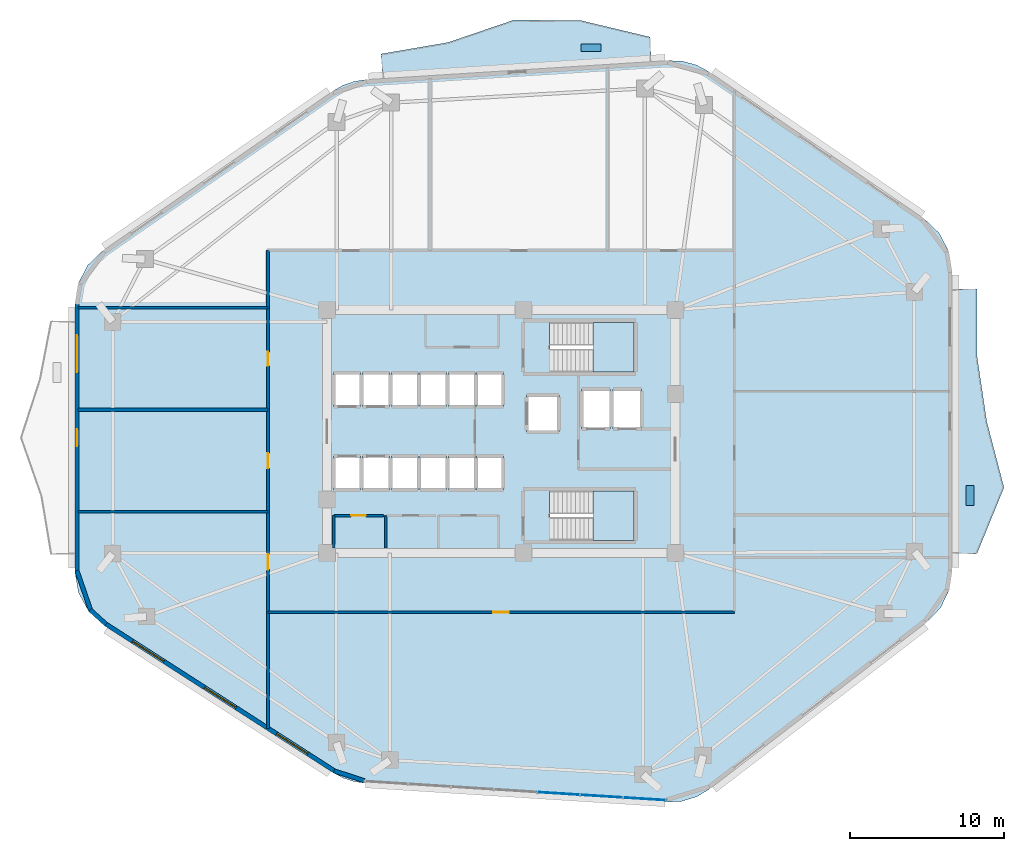
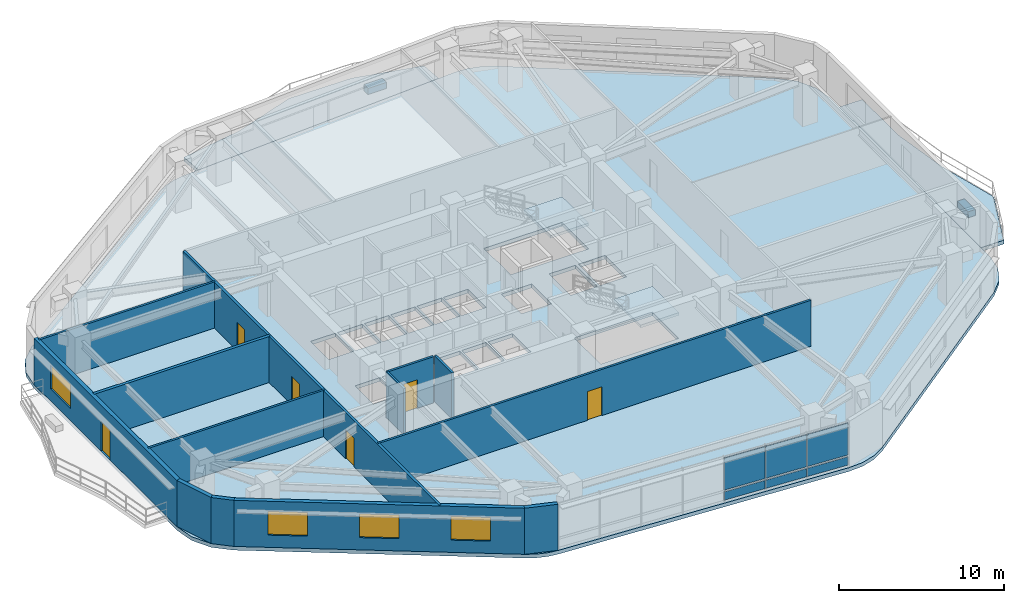
# One storey, part 6 of 12: 13 walls, 8 plates, 6 doors, 5 slabs, 4 windows, 10 openings, 3 elements without a shape of their own.
"""IFC4 building model written with IfcOpenShell, lengths in metres."""

import ifcopenshell
import ifcopenshell.guid

model = None  # the IFC model being written
_history = None  # IfcOwnerHistory: only IFC2X3 demands one
_inside = {}  # id of a spatial element -> (the spatial element, [elements in it])
_under = {}  # id of a project, library or spatial element -> (it, [spatial elements below it])
_declared = {}  # id of a project -> (the project, [libraries it declares])
_typed = {}  # id of a type object -> (the type object, [elements of that type])
_made_of = {}  # id of a material, layer set ... -> (it, [elements and type objects made of it])


def new_model(schema):
    """Start an empty IFC model of exactly this schema.

    Asked for "IFC4X3", IfcOpenShell would pick the latest addendum, in which some entities
    have other attributes; the version numbers below select the first issue.
    IFC2X3 requires an IfcOwnerHistory on every rooted entity: one is made here for all.
    """
    global model, _history
    if schema == "IFC4X3":
        model = ifcopenshell.file(schema_version=(4, 3, 0, 0))
    else:
        model = ifcopenshell.file(schema=schema)
    _inside.clear()
    _under.clear()
    _declared.clear()
    _typed.clear()
    _made_of.clear()
    _history = None
    if model.schema == "IFC2X3":
        org = make("IfcOrganization", Name="unknown")
        user = make(
            "IfcPersonAndOrganization",
            ThePerson=make("IfcPerson", FamilyName="unknown"),
            TheOrganization=org,
        )
        app = make(
            "IfcApplication",
            ApplicationDeveloper=org,
            Version="unknown",
            ApplicationFullName="unknown",
            ApplicationIdentifier="unknown",
        )
        _history = make(
            "IfcOwnerHistory",
            OwningUser=user,
            OwningApplication=app,
            ChangeAction="ADDED",
            CreationDate=0,
        )
    return model


def make(cls, **values):
    """One entity of the class cls with the attributes given. An attribute that is None is left unset."""
    return model.create_entity(
        cls, **{name: value for name, value in values.items() if value is not None}
    )


def rooted(cls, **values):
    """An entity with a GlobalId (a new one), such as an element, a storey or a relation."""
    return make(cls, GlobalId=ifcopenshell.guid.new(), OwnerHistory=_history, **values)


def si_unit(unit_type, name, prefix=None):
    """IfcSIUnit, for example si_unit("LENGTHUNIT", "METRE", prefix="MILLI")."""
    return make("IfcSIUnit", UnitType=unit_type, Prefix=prefix, Name=name)


def assignment(units):
    """IfcUnitAssignment: the units of a project."""
    return None if units is None else make("IfcUnitAssignment", Units=units)


def point(xyz):
    """IfcCartesianPoint."""
    return None if xyz is None else make("IfcCartesianPoint", Coordinates=xyz)


def direction(xyz):
    """IfcDirection."""
    return None if xyz is None else make("IfcDirection", DirectionRatios=xyz)


def frame(location, z_axis=None, x_axis=None):
    """IfcAxis2Placement3D, a coordinate frame: its origin and axes. An axis left out is left unset."""
    return make(
        "IfcAxis2Placement3D",
        Location=point(location),
        Axis=direction(z_axis),
        RefDirection=direction(x_axis),
    )


def frame_2d(location, x_axis=None):
    """IfcAxis2Placement2D, a coordinate frame in the plane: its origin and x axis."""
    return make(
        "IfcAxis2Placement2D", Location=point(location), RefDirection=direction(x_axis)
    )


def origin():
    """The frame at (0, 0, 0) with its axes left unset."""
    return frame((0.0, 0.0, 0.0))


def origin_2d():
    """The frame at (0, 0) in the plane with its x axis left unset."""
    return frame_2d((0.0, 0.0))


def place(relative_to, where):
    """IfcLocalPlacement: puts the frame where relative to a parent placement (None: the world)."""
    return make(
        "IfcLocalPlacement", PlacementRelTo=relative_to, RelativePlacement=where
    )


def context(
    kind, dimensions, precision=None, world=None, true_north=None, identifier=None
):
    """IfcGeometricRepresentationContext, for example the 3D "Model" context."""
    return make(
        "IfcGeometricRepresentationContext",
        ContextIdentifier=identifier,
        ContextType=kind,
        CoordinateSpaceDimension=dimensions,
        Precision=precision,
        WorldCoordinateSystem=world,
        TrueNorth=true_north,
    )


def subcontext(parent, identifier, kind, view, scale=None):
    """IfcGeometricRepresentationSubContext, for example "Body" below "Model"."""
    return make(
        "IfcGeometricRepresentationSubContext",
        ContextIdentifier=identifier,
        ContextType=kind,
        ParentContext=parent,
        TargetScale=scale,
        TargetView=view,
    )


def project(units=None, contexts=None):
    """IfcProject with its units and contexts."""
    return rooted(
        "IfcProject",
        Name="project",
        RepresentationContexts=contexts,
        UnitsInContext=assignment(units),
    )


def spatial(cls, under=None, at=None, **own):
    """A site, building, storey or space (cls), placed at a placement, below another one or the project."""
    s = rooted(cls, ObjectPlacement=at, **own)
    if under is not None:
        _under.setdefault(under.id(), (under, []))[1].append(s)
    return s


def polyline(points):
    """IfcPolyline through the points."""
    return make("IfcPolyline", Points=[point(p) for p in points])


def profile(cls, at=None, kind="AREA", **sizes):
    """A parametric profile (cls). Its sizes go by their IFC names, for example OverallWidth=200.0."""
    return make(cls, ProfileType=kind, Position=at, **sizes)


def rectangle(**sizes):
    """IfcRectangleProfileDef."""
    return profile("IfcRectangleProfileDef", **sizes)


def outline(outer, holes=None, kind="AREA"):
    """IfcArbitraryClosedProfileDef: a profile drawn as a closed curve; with holes, ...WithVoids."""
    if holes is None:
        return make("IfcArbitraryClosedProfileDef", ProfileType=kind, OuterCurve=outer)
    return make(
        "IfcArbitraryProfileDefWithVoids",
        ProfileType=kind,
        OuterCurve=outer,
        InnerCurves=holes,
    )


def extrude(swept, where, along, depth):
    """IfcExtrudedAreaSolid: the profile swept, set in the frame where, extruded along a direction by depth."""
    return make(
        "IfcExtrudedAreaSolid",
        SweptArea=swept,
        Position=where,
        ExtrudedDirection=direction(along),
        Depth=depth,
    )


def shape(context_of_items, identifier, shape_type, items):
    """IfcShapeRepresentation: the items that make up one representation, for example the "Body"."""
    return make(
        "IfcShapeRepresentation",
        ContextOfItems=context_of_items,
        RepresentationIdentifier=identifier,
        RepresentationType=shape_type,
        Items=items,
    )


def material(Name=None, Category=None):
    """IfcMaterial."""
    return make("IfcMaterial", Name=Name, Category=Category)


def layer(
    of_material, thickness, ventilated=None, Name=None, Category=None, Priority=None
):
    """IfcMaterialLayer: one layer of a wall or slab, of a material (None: an air gap)."""
    return make(
        "IfcMaterialLayer",
        Material=of_material,
        LayerThickness=thickness,
        IsVentilated=ventilated,
        Name=Name,
        Category=Category,
        Priority=Priority,
    )


def layer_set(layers, Name=None):
    """IfcMaterialLayerSet."""
    return make("IfcMaterialLayerSet", MaterialLayers=layers, LayerSetName=Name)


def made_of(thing, what):
    """Note that an element or type object is made of a material, layer set ...; save() writes the relation."""
    if what is not None:
        _made_of.setdefault(what.id(), (what, []))[1].append(thing)
    return thing


def type_object(cls, material=None, **own):
    """A type object (cls), such as IfcWallType, which elements share."""
    return made_of(rooted(cls, **own), material)


def element(
    cls,
    number,
    at=None,
    inside=None,
    cuts=None,
    type_object=None,
    material=None,
    context=None,
    identifier="Body",
    shape_type=None,
    held_by="IfcProductDefinitionShape",
    body=None,
    shapes=None,
    **own,
):
    """One element of the class cls, such as IfcWall. Its Tag is "e" and its number.

    at: its placement. inside: the storey or other place that contains it. cuts: it is an
    opening in that element (IfcRelVoidsElement). A single representation is given by context,
    identifier, shape_type and body (its items); several are given by shapes. held_by: the class
    of the entity that holds the representations. save() writes the other relations.
    """
    e = rooted(cls, Tag="e%d" % number, ObjectPlacement=at, **own)
    if body is not None:
        shapes = [shape(context, identifier, shape_type, body)]
    if shapes is not None:
        e.Representation = make(held_by, Representations=shapes)
    if inside is not None:
        _inside.setdefault(inside.id(), (inside, []))[1].append(e)
    if cuts is not None:
        rooted(
            "IfcRelVoidsElement", RelatingBuildingElement=cuts, RelatedOpeningElement=e
        )
    if type_object is not None:
        _typed.setdefault(type_object.id(), (type_object, []))[1].append(e)
    return made_of(e, material)


def fill(opening, filler):
    """IfcRelFillsElement: the door or window that sits in an opening."""
    return rooted(
        "IfcRelFillsElement",
        RelatingOpeningElement=opening,
        RelatedBuildingElement=filler,
    )


def aggregate(whole, parts):
    """IfcRelAggregates: a whole, such as a stair, and the parts it consists of."""
    return rooted("IfcRelAggregates", RelatingObject=whole, RelatedObjects=parts)


def save(model, path):
    """Write the relations noted so far, then the file.

    IfcRelAggregates (storeys below a building ...), IfcRelContainedInSpatialStructure (elements
    in a storey), IfcRelDefinesByType, IfcRelAssociatesMaterial and IfcRelDeclares: one each for
    every whole, place, type object, material and project.
    """
    for whole, parts in _under.values():
        aggregate(whole, parts)
    for where, things in _inside.values():
        rooted(
            "IfcRelContainedInSpatialStructure",
            RelatedElements=things,
            RelatingStructure=where,
        )
    for kind, things in _typed.values():
        rooted("IfcRelDefinesByType", RelatedObjects=things, RelatingType=kind)
    for what, things in _made_of.values():
        rooted("IfcRelAssociatesMaterial", RelatedObjects=things, RelatingMaterial=what)
    for by, libraries in _declared.values():
        rooted("IfcRelDeclares", RelatingContext=by, RelatedDefinitions=libraries)
    model.write(path)


model = new_model("IFC4")

# Units and contexts
model_context = context("Model", 3, precision=1e-05, world=origin(), true_north=direction((0.0, 1.0)))
body_context = subcontext(model_context, "Body", "Model", "MODEL_VIEW")
ifc_project = project(units=[si_unit("LENGTHUNIT", "METRE"), si_unit("AREAUNIT", "SQUARE_METRE"), si_unit("VOLUMEUNIT", "CUBIC_METRE"), si_unit("PLANEANGLEUNIT", "RADIAN"), si_unit("MASSUNIT", "GRAM", prefix="KILO")], contexts=[model_context])

# Site, building, storey
site_placement = place(None, origin())
site = spatial("IfcSite", under=ifc_project, at=site_placement, CompositionType="ELEMENT")
building_placement = place(site_placement, origin())
building = spatial("IfcBuilding", under=site, at=building_placement, Name="Zulverin Broadcast Headquarters", CompositionType="ELEMENT")
storey_placement = place(building_placement, frame((0.0, 0.0, 116.199951171875)))
storey = spatial("IfcBuildingStorey", under=building, at=storey_placement, Name="L29", CompositionType="ELEMENT", Elevation=116.199951171875)

# Curtain wall, plates
ifc_material_1 = material(Name="Low-zone ribbon unitised curtain wall", Category="aluminium")
curtain_wall_type = type_object("IfcCurtainWallType", Name="CW-TWR-LOW", PredefinedType="USERDEFINED", material=ifc_material_1)
curtain_wall_placement = place(storey_placement, origin())
curtain_wall = element("IfcCurtainWall", 1, at=curtain_wall_placement, inside=storey, type_object=curtain_wall_type, Name="L29 Unitised Curtain Wall CW-L29-E1", ObjectType="UNITISED CURTAIN WALL", PredefinedType="USERDEFINED")
ifc_material_2 = material(Name="Low-E double-glazed pale-silver vision glass", Category="glass")
ifc_layer_1 = layer(ifc_material_2, 0.035888671875, Name="Low-E double-glazed pale-silver vision glass", Category="glass")
ifc_layer_set_1 = layer_set([ifc_layer_1], Name="Low-E double-glazed pale-silver vision glass")
plate_type_1 = type_object("IfcPlateType", Name="CW-PNL-GLZ", PredefinedType="CURTAIN_PANEL", material=ifc_layer_set_1)
plate_1_placement = place(storey_placement, frame((40.72021484375, 1.759033203125, 0.881103515625), z_axis=(0.0, 0.0, 1.0), x_axis=(0.998017182581, -0.062942062821, 0.0)))
plate_1 = element("IfcPlate", 2, at=plate_1_placement, type_object=plate_type_1, Name="CW-L29-E1 Vision Panel 04", PredefinedType="CURTAIN_PANEL", context=body_context, shape_type="SweptSolid", body=[
    extrude(rectangle(XDim=2.756591796875, YDim=0.035888671875, at=origin_2d()), origin(), (0.0, 0.0, 1.0), 2.37890625),
])
plate_2_placement = place(storey_placement, frame((43.511474609375, 1.5830078125, 0.881103515625), z_axis=(0.0, 0.0, 1.0), x_axis=(0.998017182581, -0.062942062821, 0.0)))
plate_2 = element("IfcPlate", 3, at=plate_2_placement, type_object=plate_type_1, Name="CW-L29-E1 Vision Panel 05", PredefinedType="CURTAIN_PANEL", context=body_context, shape_type="SweptSolid", body=[
    extrude(rectangle(XDim=2.756591796875, YDim=0.035888671875, at=origin_2d()), origin(), (0.0, 0.0, 1.0), 2.37890625),
])
plate_3_placement = place(storey_placement, frame((46.302490234375, 1.406982421875, 0.881103515625), z_axis=(0.0, 0.0, 1.0), x_axis=(0.998017182581, -0.062942062821, 0.0)))
plate_3 = element("IfcPlate", 4, at=plate_3_placement, type_object=plate_type_1, Name="CW-L29-E1 Vision Panel 06", PredefinedType="CURTAIN_PANEL", context=body_context, shape_type="SweptSolid", body=[
    extrude(rectangle(XDim=2.756591796875, YDim=0.035888671875, at=origin_2d()), origin(), (0.0, 0.0, 1.0), 2.37890625),
])
ifc_material_3 = material(Name="Insulated brushed pale-aluminium spandrel cassette", Category="aluminium")
ifc_layer_2 = layer(ifc_material_3, 0.050048828125, Name="Insulated brushed pale-aluminium spandrel cassette", Category="aluminium")
ifc_layer_set_2 = layer_set([ifc_layer_2], Name="Insulated brushed pale-aluminium spandrel cassette")
plate_type_2 = type_object("IfcPlateType", Name="CW-PNL-SPN", PredefinedType="CURTAIN_PANEL", material=ifc_layer_set_2)
plate_4_placement = place(storey_placement, frame((40.72021484375, 1.759033203125, 0.14013671875), z_axis=(0.0, 0.0, 1.0), x_axis=(0.998017182581, -0.062942062821, 0.0)))
plate_4 = element("IfcPlate", 5, at=plate_4_placement, type_object=plate_type_2, Name="CW-L29-E1 Spandrel Cassette 04", PredefinedType="CURTAIN_PANEL", context=body_context, shape_type="SweptSolid", body=[
    extrude(rectangle(XDim=2.756591796875, YDim=0.050048828125, at=origin_2d()), origin(), (0.0, 0.0, 1.0), 0.611083984375),
])
plate_5_placement = place(storey_placement, frame((43.511474609375, 1.5830078125, 0.14013671875), z_axis=(0.0, 0.0, 1.0), x_axis=(0.998017182581, -0.062942062821, 0.0)))
plate_5 = element("IfcPlate", 6, at=plate_5_placement, type_object=plate_type_2, Name="CW-L29-E1 Spandrel Cassette 05", PredefinedType="CURTAIN_PANEL", context=body_context, shape_type="SweptSolid", body=[
    extrude(rectangle(XDim=2.756591796875, YDim=0.050048828125, at=origin_2d()), origin(), (0.0, 0.0, 1.0), 0.611083984375),
])
plate_6_placement = place(storey_placement, frame((46.302490234375, 1.406982421875, 0.14013671875), z_axis=(0.0, 0.0, 1.0), x_axis=(0.998017182581, -0.062942062821, 0.0)))
plate_6 = element("IfcPlate", 7, at=plate_6_placement, type_object=plate_type_2, Name="CW-L29-E1 Spandrel Cassette 06", PredefinedType="CURTAIN_PANEL", context=body_context, shape_type="SweptSolid", body=[
    extrude(rectangle(XDim=2.756591796875, YDim=0.050048828125, at=origin_2d()), origin(), (0.0, 0.0, 1.0), 0.611083984375),
])
aggregate(curtain_wall, [plate_4, plate_1, plate_5, plate_2, plate_6, plate_3])

# Plates
ifc_material_4 = material(Name="Precast concrete C45/55", Category="concrete")
ifc_layer_3 = layer(ifc_material_4, 0.449951171875, Name="Precast concrete C45/55", Category="concrete")
ifc_layer_set_3 = layer_set([ifc_layer_3], Name="Precast concrete C45/55")
plate_type_3 = type_object("IfcPlateType", Name="PT-01_PRECAST_GFRC_TREE_PLANTER", PredefinedType="USERDEFINED", material=ifc_layer_set_3)
for number, where, z_axis, x_axis, name in (
    (8, (67.35009765625, 21.05224609375, -0.0048828125), (0.0, 0.0, 1.0), (0.0, 1.0, 0.0), "L29 Precast GFRC Tree Planter BAL_E"),
    (9, (42.825927734375, 50.04638671875, -0.0048828125), (0.0, 0.0, 1.0), (1.0, 0.0, 0.0), "L29 Precast GFRC Tree Planter BAL_N"),
):
    element("IfcPlate", number, at=place(storey_placement, frame(where, z_axis=z_axis, x_axis=x_axis)), inside=storey, type_object=plate_type_3, Name=name, ObjectType="PLANTER", PredefinedType="USERDEFINED", context=body_context, shape_type="SweptSolid", body=[
        extrude(rectangle(XDim=1.300048828125, YDim=0.5, at=origin_2d()), origin(), (0.0, 0.0, 1.0), 0.449951171875),
    ])

# Slabs
ifc_material_5 = material(Name="Concrete C40/50", Category="concrete")
ifc_layer_4 = layer(ifc_material_5, 0.27490234375, Name="Concrete C40/50", Category="concrete")
ifc_layer_set_4 = layer_set([ifc_layer_4], Name="Concrete C40/50")
slab_type_1 = type_object("IfcSlabType", Name="SLB-BAL-275", PredefinedType="FLOOR", material=ifc_layer_set_4)
slab_1_placement = place(storey_placement, frame((0.0, 0.0, -0.27490234375)))
element("IfcSlab", 10, at=slab_1_placement, inside=storey, type_object=slab_type_1, Name="L29 Cantilevered Planted Balcony Slab BAL_E", PredefinedType="FLOOR", context=body_context, shape_type="SweptSolid", body=[
    extrude(outline(polyline([(66.199951171875, 34.41455078125), (66.199951171875, 17.283447265625), (67.800048828125, 17.283447265625), (69.553955078125, 21.566162109375), (68.435791015625, 25.848876953125), (67.800048828125, 30.131591796875), (67.800048828125, 34.41455078125), (66.199951171875, 34.41455078125)])), origin(), (0.0, 0.0, 1.0), 0.27490234375),
])
slab_2_placement = place(storey_placement, frame((0.0, 0.0, -0.27490234375)))
element("IfcSlab", 11, at=slab_2_placement, inside=storey, type_object=slab_type_1, Name="L29 Cantilevered Planted Balcony Slab BAL_N", PredefinedType="FLOOR", context=body_context, shape_type="SweptSolid", body=[
    extrude(outline(polyline([(29.330078125, 48.04296875), (46.72509765625, 49.139892578125), (46.62451171875, 50.73681640625), (42.19189453125, 51.79296875), (37.8232421875, 51.8349609375), (33.548828125, 50.3798828125), (29.2294921875, 49.639892578125), (29.330078125, 48.04296875)])), origin(), (0.0, 0.0, 1.0), 0.27490234375),
])

# Stair, slab
stair_type = type_object("IfcStairType", Name="ST-CORE-1500", PredefinedType="HALF_TURN_STAIR", material=ifc_material_5)
stair_1_placement = place(storey_placement, origin())
stair_1 = element("IfcStair", 12, at=stair_1_placement, inside=storey, type_object=stair_type, Name="L29 Core Exit Stair ST-1", PredefinedType="HALF_TURN_STAIR")
ifc_layer_5 = layer(ifc_material_5, 0.199951171875, Name="Concrete C40/50", Category="concrete")
ifc_layer_set_5 = layer_set([ifc_layer_5], Name="Concrete C40/50")
slab_type_2 = type_object("IfcSlabType", Name="SLB-ST-LND200", PredefinedType="LANDING", material=ifc_layer_set_5)
slab_3_placement = place(storey_placement, frame((0.0, 0.0, 1.699951171875)))
slab_3 = element("IfcSlab", 13, at=slab_3_placement, type_object=slab_type_2, Name="ST-1 landing 1", PredefinedType="LANDING", context=body_context, shape_type="SweptSolid", body=[
    extrude(outline(polyline([(42.929931640625, 29.050048828125), (45.60009765625, 29.050048828125), (45.60009765625, 32.25), (42.929931640625, 32.25), (42.929931640625, 29.050048828125)])), origin(), (0.0, 0.0, 1.0), 0.2001953125),
])
aggregate(stair_1, [slab_3])

stair_2_placement = place(storey_placement, origin())
stair_2 = element("IfcStair", 14, at=stair_2_placement, inside=storey, type_object=stair_type, Name="L29 Core Exit Stair ST-2", PredefinedType="HALF_TURN_STAIR")
slab_4_placement = place(storey_placement, frame((0.0, 0.0, 1.699951171875)))
slab_4 = element("IfcSlab", 15, at=slab_4_placement, type_object=slab_type_2, Name="ST-2 landing 1", PredefinedType="LANDING", context=body_context, shape_type="SweptSolid", body=[
    extrude(outline(polyline([(42.929931640625, 18.14990234375), (45.60009765625, 18.14990234375), (45.60009765625, 21.35009765625), (42.929931640625, 21.35009765625), (42.929931640625, 18.14990234375)])), origin(), (0.0, 0.0, 1.0), 0.2001953125),
])
aggregate(stair_2, [slab_4])

# Slab
ifc_layer_6 = layer(ifc_material_5, 0.27490234375, Name="Concrete C40/50", Category="concrete")
ifc_layer_set_6 = layer_set([ifc_layer_6], Name="Concrete C40/50")
slab_type_3 = type_object("IfcSlabType", Name="SLB-TWR-275", PredefinedType="FLOOR", material=ifc_layer_set_6)
slab_5_placement = place(storey_placement, frame((0.0, 0.0, -0.27490234375)))
element("IfcSlab", 16, at=slab_5_placement, inside=storey, type_object=slab_type_3, Name="L29 Main Structural Floor Slab", PredefinedType="FLOOR", context=body_context, shape_type="SweptSolid", body=[
    extrude(outline(polyline([(26.146484375, 3.089599609375), (26.774658203125, 2.75732421875), (27.44970703125, 2.535888671875), (28.152587890625, 2.431396484375), (47.690673828125, 1.19921875), (48.69189453125, 1.256103515625), (49.6513671875, 1.548828125), (50.51416015625, 2.060546875), (64.55908203125, 12.85302734375), (65.44140625, 13.77587890625), (66.005859375, 14.92138671875), (66.199951171875, 16.183349609375), (66.199951171875, 35.514404296875), (65.981689453125, 36.85107421875), (65.349365234375, 38.048583984375), (64.368896484375, 38.982666015625), (50.456298828125, 48.485595703125), (49.639404296875, 48.920166015625), (48.747314453125, 49.165283203125), (47.822998046875, 49.208984375), (28.232421875, 47.9736328125), (27.481201171875, 47.857421875), (26.76318359375, 47.607666015625), (26.102294921875, 47.232666015625), (11.20556640625, 36.89501953125), (10.238037109375, 35.9619140625), (9.614990234375, 34.77099609375), (9.39990234375, 33.4443359375), (9.39990234375, 16.1435546875), (9.631103515625, 14.769775390625), (10.298583984375, 13.547119140625), (11.32958984375, 12.610107421875), (26.146484375, 3.089599609375)]), holes=[polyline([(40.155029296875, 30.75), (40.130126953125, 30.75), (40.130126953125, 32.25), (45.60009765625, 32.25), (45.60009765625, 29.050048828125), (40.155029296875, 29.050048828125), (40.155029296875, 30.75)]), polyline([(40.155029296875, 19.85009765625), (40.130126953125, 19.85009765625), (40.130126953125, 21.35009765625), (45.60009765625, 21.35009765625), (45.60009765625, 18.14990234375), (40.155029296875, 18.14990234375), (40.155029296875, 19.85009765625)]), polyline([(26.14990234375, 26.800048828125), (27.89990234375, 26.800048828125), (27.89990234375, 29.0), (26.14990234375, 29.0), (26.14990234375, 26.800048828125)]), polyline([(28.02001953125, 26.800048828125), (29.77001953125, 26.800048828125), (29.77001953125, 29.0), (28.02001953125, 29.0), (28.02001953125, 26.800048828125)]), polyline([(26.14990234375, 21.39990234375), (27.89990234375, 21.39990234375), (27.89990234375, 23.60009765625), (26.14990234375, 23.60009765625), (26.14990234375, 21.39990234375)]), polyline([(28.02001953125, 21.39990234375), (29.77001953125, 21.39990234375), (29.77001953125, 23.60009765625), (28.02001953125, 23.60009765625), (28.02001953125, 21.39990234375)]), polyline([(29.89990234375, 21.39990234375), (31.6201171875, 21.39990234375), (31.6201171875, 23.60009765625), (29.89990234375, 23.60009765625), (29.89990234375, 21.39990234375)]), polyline([(31.739990234375, 21.39990234375), (33.4599609375, 21.39990234375), (33.4599609375, 23.60009765625), (31.739990234375, 23.60009765625), (31.739990234375, 21.39990234375)]), polyline([(33.580078125, 21.39990234375), (35.300048828125, 21.39990234375), (35.300048828125, 23.60009765625), (33.580078125, 23.60009765625), (33.580078125, 21.39990234375)]), polyline([(35.419921875, 21.39990234375), (37.139892578125, 21.39990234375), (37.139892578125, 23.60009765625), (35.419921875, 23.60009765625), (35.419921875, 21.39990234375)]), polyline([(29.89990234375, 26.800048828125), (31.6201171875, 26.800048828125), (31.6201171875, 29.0), (29.89990234375, 29.0), (29.89990234375, 26.800048828125)]), polyline([(31.739990234375, 26.800048828125), (33.4599609375, 26.800048828125), (33.4599609375, 29.0), (31.739990234375, 29.0), (31.739990234375, 26.800048828125)]), polyline([(33.580078125, 26.800048828125), (35.300048828125, 26.800048828125), (35.300048828125, 29.0), (33.580078125, 29.0), (33.580078125, 26.800048828125)]), polyline([(35.419921875, 26.800048828125), (37.139892578125, 26.800048828125), (37.139892578125, 29.0), (35.419921875, 29.0), (35.419921875, 26.800048828125)]), polyline([(42.199951171875, 25.35009765625), (44.050048828125, 25.35009765625), (44.050048828125, 27.949951171875), (42.199951171875, 27.949951171875), (42.199951171875, 25.35009765625)]), polyline([(44.25, 25.35009765625), (46.10009765625, 25.35009765625), (46.10009765625, 27.949951171875), (44.25, 27.949951171875), (44.25, 25.35009765625)]), polyline([(38.64990234375, 25.14990234375), (40.75, 25.14990234375), (40.75, 27.550048828125), (38.64990234375, 27.550048828125), (38.64990234375, 25.14990234375)])]), origin(), (0.0, 0.0, 1.0), 0.27490234375),
])

# Wall
ifc_material_6 = material(Name="Acoustic drywall steel stud", Category="steel")
ifc_layer_7 = layer(ifc_material_6, 0.199951171875, Name="Acoustic drywall steel stud", Category="steel")
ifc_layer_set_7 = layer_set([ifc_layer_7], Name="Acoustic drywall steel stud")
wall_type_1 = type_object("IfcWallType", Name="WL-ACOU-200", PredefinedType="PARTITIONING", material=ifc_layer_set_7)
wall_1_placement = place(storey_placement, frame((9.60498046875, 26.60009765625, 0.0), z_axis=(0.0, 0.0, 1.0), x_axis=(1.0, 0.0, 0.0)))
element("IfcWall", 17, at=wall_1_placement, inside=storey, type_object=wall_type_1, Name="L29 Room Partition Wall RP-09", PredefinedType="PARTITIONING", context=body_context, shape_type="SweptSolid", body=[
    extrude(rectangle(XDim=12.294921875, YDim=0.199951171875, at=frame_2d((6.1474609375, 0.0))), origin(), (0.0, 0.0, 1.0), 3.400146484375),
])

# Wall, openings, door, window
ifc_material_7 = material(Name="Insulated pale-metal clad concrete spandrel C40/50", Category="concrete")
ifc_layer_8 = layer(ifc_material_7, 0.280029296875, Name="Insulated pale-metal clad concrete spandrel C40/50", Category="concrete")
ifc_layer_set_8 = layer_set([ifc_layer_8], Name="Insulated pale-metal clad concrete spandrel C40/50")
wall_type_2 = type_object("IfcWallType", Name="WL-EXT-280", PredefinedType="STANDARD", material=ifc_layer_set_8)
wall_2_placement = place(storey_placement, frame((9.5400390625, 33.4443359375, 0.0), z_axis=(0.0, 0.0, 1.0), x_axis=(0.0, -1.0, 0.0)))
wall_2 = element("IfcWall", 18, at=wall_2_placement, inside=storey, type_object=wall_type_2, Name="L29 Pale-Metal Clad Spandrel Wall 7", PredefinedType="STANDARD", context=body_context, shape_type="SweptSolid", body=[
    extrude(rectangle(XDim=17.30078125, YDim=0.280029296875, at=frame_2d((8.650390625, 0.0))), origin(), (0.0, 0.0, 1.0), 3.400146484375),
])
opening_1_placement = place(wall_2_placement, frame((8.100341796875, 0.0, 0.0)))
opening_1 = element("IfcOpeningElement", 19, at=opening_1_placement, cuts=wall_2, Name="Opening D-L29-TR7", PredefinedType="OPENING", context=body_context, shape_type="SweptSolid", body=[
    extrude(rectangle(XDim=1.10009765625, YDim=2.199951171875, at=frame_2d((0.550048828125, 1.10009765625))), frame((0.0, 0.14990234375, 0.0), z_axis=(0.0, -1.0, 0.0), x_axis=(1.0, 0.0, 0.0)), (0.0, 0.0, 1.0), 0.300048828125),
])
opening_2_placement = place(wall_2_placement, frame((2.016845703125, 0.0, 0.89990234375)))
opening_2 = element("IfcOpeningElement", 20, at=opening_2_placement, cuts=wall_2, Name="Opening W-L29-E71", PredefinedType="OPENING", context=body_context, shape_type="SweptSolid", body=[
    extrude(rectangle(XDim=2.39990234375, YDim=1.75, at=frame_2d((1.199951171875, 0.875))), frame((0.0, 0.14990234375, 0.0), z_axis=(0.0, -1.0, 0.0), x_axis=(1.0, 0.0, 0.0)), (0.0, 0.0, 1.0), 0.300048828125),
])
ifc_material_8 = material(Name="Thermally broken aluminium glazed", Category="aluminium")
door_type_1 = type_object("IfcDoorType", Name="DR-TERR-1100", OperationType="SINGLE_SWING_RIGHT", PredefinedType="DOOR", material=ifc_material_8)
door_1_placement = place(opening_1_placement, origin())
door_1 = element("IfcDoor", 21, at=door_1_placement, inside=storey, type_object=door_type_1, Name="L29 Planted Terrace Glazed Access Door 7", OperationType="SINGLE_SWING_RIGHT", OverallHeight=2.199951171875, OverallWidth=1.10009765625, PredefinedType="DOOR", context=body_context, shape_type="SweptSolid", body=[
    extrude(rectangle(XDim=1.10009765625, YDim=2.199951171875, at=frame_2d((0.550048828125, 1.10009765625))), frame((0.0, 0.02490234375, 0.0), z_axis=(0.0, -1.0, 0.0), x_axis=(1.0, 0.0, 0.0)), (0.0, 0.0, 1.0), 0.050048828125),
])
fill(opening_1, door_1)
ifc_material_9 = material(Name="Pale anodized aluminium frame with solar-control low-E double glazing", Category="aluminium")
window_type = type_object("IfcWindowType", Name="WIN-RIB-2400", PartitioningType="SINGLE_PANEL", PredefinedType="WINDOW", material=ifc_material_9)
window_1_placement = place(opening_2_placement, origin())
window_1 = element("IfcWindow", 22, at=window_1_placement, inside=storey, type_object=window_type, Name="L29 Ribbon Glazing Window 7 1", OverallHeight=1.75, OverallWidth=2.39990234375, PartitioningType="SINGLE_PANEL", PredefinedType="WINDOW", context=body_context, shape_type="SweptSolid", body=[
    extrude(rectangle(XDim=2.39990234375, YDim=1.75, at=frame_2d((1.199951171875, 0.875))), frame((0.0, 0.030029296875, 0.0), z_axis=(0.0, -1.0, 0.0), x_axis=(1.0, 0.0, 0.0)), (0.0, 0.0, 1.0), 0.06005859375),
])
fill(opening_2, window_1)

# Wall, openings, windows
wall_3_placement = place(storey_placement, frame((11.4052734375, 12.727783203125, 0.0), z_axis=(0.0, 0.0, 1.0), x_axis=(0.841304564637, -0.540561402175, 0.0)))
wall_3 = element("IfcWall", 23, at=wall_3_placement, inside=storey, type_object=wall_type_2, Name="L29 Pale-Metal Clad Spandrel Wall 8", PredefinedType="STANDARD", context=body_context, shape_type="SweptSolid", body=[
    extrude(rectangle(XDim=17.61181640625, YDim=0.280029296875, at=frame_2d((8.805908203125, 0.0))), origin(), (0.0, 0.0, 1.0), 3.400146484375),
])
opening_3_placement = place(wall_3_placement, frame((2.068603515625, 0.0, 0.89990234375)))
opening_3 = element("IfcOpeningElement", 24, at=opening_3_placement, cuts=wall_3, Name="Opening W-L29-E81", PredefinedType="OPENING", context=body_context, shape_type="SweptSolid", body=[
    extrude(rectangle(XDim=2.39990234375, YDim=1.75, at=frame_2d((1.199951171875, 0.875))), frame((0.0, 0.14990234375, 0.0), z_axis=(0.0, -1.0, 0.0), x_axis=(1.0, 0.0, 0.0)), (0.0, 0.0, 1.0), 0.300048828125),
])
opening_4_placement = place(wall_3_placement, frame((7.60595703125, 0.0, 0.89990234375)))
opening_4 = element("IfcOpeningElement", 25, at=opening_4_placement, cuts=wall_3, Name="Opening W-L29-E82", PredefinedType="OPENING", context=body_context, shape_type="SweptSolid", body=[
    extrude(rectangle(XDim=2.39990234375, YDim=1.75, at=frame_2d((1.199951171875, 0.875))), frame((0.0, 0.14990234375, 0.0), z_axis=(0.0, -1.0, 0.0), x_axis=(1.0, 0.0, 0.0)), (0.0, 0.0, 1.0), 0.300048828125),
])
opening_5_placement = place(wall_3_placement, frame((13.143310546875, 0.0, 0.89990234375)))
opening_5 = element("IfcOpeningElement", 26, at=opening_5_placement, cuts=wall_3, Name="Opening W-L29-E83", PredefinedType="OPENING", context=body_context, shape_type="SweptSolid", body=[
    extrude(rectangle(XDim=2.39990234375, YDim=1.75, at=frame_2d((1.199951171875, 0.875))), frame((0.0, 0.14990234375, 0.0), z_axis=(0.0, -1.0, 0.0), x_axis=(1.0, 0.0, 0.0)), (0.0, 0.0, 1.0), 0.300048828125),
])
window_2_placement = place(opening_3_placement, origin())
window_2 = element("IfcWindow", 27, at=window_2_placement, inside=storey, type_object=window_type, Name="L29 Ribbon Glazing Window 8 1", OverallHeight=1.75, OverallWidth=2.39990234375, PartitioningType="SINGLE_PANEL", PredefinedType="WINDOW", context=body_context, shape_type="SweptSolid", body=[
    extrude(rectangle(XDim=2.39990234375, YDim=1.75, at=frame_2d((1.199951171875, 0.875))), frame((0.0, 0.030029296875, 0.0), z_axis=(0.0, -1.0, 0.0), x_axis=(1.0, 0.0, 0.0)), (0.0, 0.0, 1.0), 0.06005859375),
])
fill(opening_3, window_2)
window_3_placement = place(opening_4_placement, origin())
window_3 = element("IfcWindow", 28, at=window_3_placement, inside=storey, type_object=window_type, Name="L29 Ribbon Glazing Window 8 2", OverallHeight=1.75, OverallWidth=2.39990234375, PartitioningType="SINGLE_PANEL", PredefinedType="WINDOW", context=body_context, shape_type="SweptSolid", body=[
    extrude(rectangle(XDim=2.39990234375, YDim=1.75, at=frame_2d((1.199951171875, 0.875))), frame((0.0, 0.030029296875, 0.0), z_axis=(0.0, -1.0, 0.0), x_axis=(1.0, 0.0, 0.0)), (0.0, 0.0, 1.0), 0.06005859375),
])
fill(opening_4, window_3)
window_4_placement = place(opening_5_placement, origin())
window_4 = element("IfcWindow", 29, at=window_4_placement, inside=storey, type_object=window_type, Name="L29 Ribbon Glazing Window 8 3", OverallHeight=1.75, OverallWidth=2.39990234375, PartitioningType="SINGLE_PANEL", PredefinedType="WINDOW", context=body_context, shape_type="SweptSolid", body=[
    extrude(rectangle(XDim=2.39990234375, YDim=1.75, at=frame_2d((1.199951171875, 0.875))), frame((0.0, 0.030029296875, 0.0), z_axis=(0.0, -1.0, 0.0), x_axis=(1.0, 0.0, 0.0)), (0.0, 0.0, 1.0), 0.06005859375),
])
fill(opening_5, window_4)

# Walls
wall_4_placement = place(storey_placement, frame((9.5322265625, 16.189453125, 0.0), z_axis=(0.0, 0.0, 1.0), x_axis=(0.32708309668, -0.944995580871, 0.0)))
element("IfcWall", 30, at=wall_4_placement, inside=storey, type_object=wall_type_2, Name="L29 Wind-Shaped Corner Spandrel Wall 7-1", PredefinedType="STANDARD", context=body_context, shape_type="SweptSolid", body=[
    extrude(rectangle(XDim=2.74755859375, YDim=0.280029296875, at=frame_2d((1.373779296875, 0.0))), origin(), (0.0, 0.0, 1.0), 3.400146484375),
])
wall_5_placement = place(storey_placement, frame((10.392822265625, 13.650634765625, 0.0), z_axis=(0.0, 0.0, 1.0), x_axis=(0.74003521851, -0.672568119498, 0.0)))
element("IfcWall", 31, at=wall_5_placement, inside=storey, type_object=wall_type_2, Name="L29 Wind-Shaped Corner Spandrel Wall 7-2", PredefinedType="STANDARD", context=body_context, shape_type="SweptSolid", body=[
    extrude(rectangle(XDim=1.39306640625, YDim=0.280029296875, at=frame_2d((0.696533203125, 0.0))), origin(), (0.0, 0.0, 1.0), 3.400146484375),
])
wall_6_placement = place(storey_placement, frame((26.18994140625, 3.22265625, 0.0), z_axis=(0.0, 0.0, 1.0), x_axis=(0.950175683881, -0.311714885371, 0.0)))
element("IfcWall", 32, at=wall_6_placement, inside=storey, type_object=wall_type_2, Name="L29 Wind-Shaped Corner Spandrel Wall 8-1", PredefinedType="STANDARD", context=body_context, shape_type="SweptSolid", body=[
    extrude(rectangle(XDim=2.046630859375, YDim=0.280029296875, at=frame_2d((1.0234375, 0.0))), origin(), (0.0, 0.0, 1.0), 3.400146484375),
])

# Wall, opening, door
ifc_material_10 = material(Name="Fire-rated gypsum stud partition", Category="gypsum")
ifc_layer_9 = layer(ifc_material_10, 0.14990234375, Name="Fire-rated gypsum stud partition", Category="gypsum")
ifc_layer_set_9 = layer_set([ifc_layer_9], Name="Fire-rated gypsum stud partition")
wall_type_3 = type_object("IfcWallType", Name="WL-PART-150", PredefinedType="PARTITIONING", material=ifc_layer_set_9)
wall_7_placement = place(storey_placement, frame((26.169921875, 19.75, 0.0), z_axis=(0.0, 0.0, 1.0), x_axis=(1.0, 0.0, 0.0)))
wall_7 = element("IfcWall", 33, at=wall_7_placement, inside=storey, type_object=wall_type_3, Name="L29 Core Male WC Front Wall", PredefinedType="PARTITIONING", context=body_context, shape_type="SweptSolid", body=[
    extrude(rectangle(XDim=3.2001953125, YDim=0.14990234375, at=frame_2d((1.60009765625, 0.0))), origin(), (0.0, 0.0, 1.0), 3.400146484375),
])
opening_6_placement = place(wall_7_placement, frame((1.125, 0.0, 0.0)))
opening_6 = element("IfcOpeningElement", 34, at=opening_6_placement, cuts=wall_7, Name="Opening D-L29-SC1", PredefinedType="OPENING", context=body_context, shape_type="SweptSolid", body=[
    extrude(rectangle(XDim=0.949951171875, YDim=2.10009765625, at=frame_2d((0.47509765625, 1.050048828125))), frame((0.0, 0.0849609375, 0.0), z_axis=(0.0, -1.0, 0.0), x_axis=(1.0, 0.0, 0.0)), (0.0, 0.0, 1.0), 0.169921875),
])
ifc_material_11 = material(Name="Fire-rated moisture-resistant laminate leaf", Category="wood")
door_type_2 = type_object("IfcDoorType", Name="DR-WC-950", OperationType="SINGLE_SWING_LEFT", PredefinedType="DOOR", material=ifc_material_11)
door_2_placement = place(opening_6_placement, origin())
door_2 = element("IfcDoor", 35, at=door_2_placement, inside=storey, type_object=door_type_2, Name="L29 Male WC Door", OperationType="SINGLE_SWING_RIGHT", OverallHeight=2.10009765625, OverallWidth=0.949951171875, PredefinedType="DOOR", context=body_context, shape_type="SweptSolid", body=[
    extrude(rectangle(XDim=0.949951171875, YDim=2.10009765625, at=frame_2d((0.47509765625, 1.050048828125))), frame((0.0, 0.02490234375, 0.0), z_axis=(0.0, -1.0, 0.0), x_axis=(1.0, 0.0, 0.0)), (0.0, 0.0, 1.0), 0.050048828125),
])
fill(opening_6, door_2)

# Walls
for number, where, z_axis, x_axis, name in (
    (36, (26.169921875, 17.64990234375, 0.0), (0.0, 0.0, 1.0), (0.0, 1.0, 0.0), "L29 Core Male WC West Wall"),
    (37, (29.530029296875, 17.64990234375, 0.0), (0.0, 0.0, 1.0), (0.0, 1.0, 0.0), "L29 Core Female WC West Wall"),
):
    element("IfcWall", number, at=place(storey_placement, frame(where, z_axis=z_axis, x_axis=x_axis)), inside=storey, type_object=wall_type_3, Name=name, PredefinedType="PARTITIONING", context=body_context, shape_type="SweptSolid", body=[
        extrude(rectangle(XDim=2.10009765625, YDim=0.14990234375, at=frame_2d((1.050048828125, 0.0))), origin(), (0.0, 0.0, 1.0), 3.400146484375),
    ])

# Wall, opening, door
wall_8_placement = place(storey_placement, frame((21.89990234375, 13.5, 0.0), z_axis=(0.0, 0.0, 1.0), x_axis=(1.0, 0.0, 0.0)))
wall_8 = element("IfcWall", 38, at=wall_8_placement, inside=storey, type_object=wall_type_3, Name="L29 Gallery Partition Wall CG-05", PredefinedType="PARTITIONING", context=body_context, shape_type="SweptSolid", body=[
    extrude(rectangle(XDim=30.2001953125, YDim=0.14990234375, at=frame_2d((15.10009765625, 0.0))), origin(), (0.0, 0.0, 1.0), 3.400146484375),
])
opening_7_placement = place(wall_8_placement, frame((14.60009765625, 0.0, 0.0)))
opening_7 = element("IfcOpeningElement", 39, at=opening_7_placement, cuts=wall_8, Name="Opening D-L29-04", PredefinedType="OPENING", context=body_context, shape_type="SweptSolid", body=[
    extrude(rectangle(XDim=1.0, YDim=2.1201171875, at=frame_2d((0.5, 1.06005859375))), frame((0.0, 0.0849609375, 0.0), z_axis=(0.0, -1.0, 0.0), x_axis=(1.0, 0.0, 0.0)), (0.0, 0.0, 1.0), 0.169921875),
])
ifc_material_12 = material(Name="Hardwood veneer acoustic leaf", Category="wood")
door_type_3 = type_object("IfcDoorType", Name="DR-OFF-1000", OperationType="SINGLE_SWING_LEFT", PredefinedType="DOOR", material=ifc_material_12)
door_3_placement = place(opening_7_placement, origin())
door_3 = element("IfcDoor", 40, at=door_3_placement, inside=storey, type_object=door_type_3, Name="L29 Editing Office Door", OperationType="SINGLE_SWING_LEFT", OverallHeight=2.1201171875, OverallWidth=1.0, PredefinedType="DOOR", context=body_context, shape_type="SweptSolid", body=[
    extrude(rectangle(XDim=1.0, YDim=2.1201171875, at=frame_2d((0.5, 1.06005859375))), frame((0.0, 0.02490234375, 0.0), z_axis=(0.0, -1.0, 0.0), x_axis=(1.0, 0.0, 0.0)), (0.0, 0.0, 1.0), 0.050048828125),
])
fill(opening_7, door_3)

# Walls
wall_9_placement = place(storey_placement, frame((9.60498046875, 20.0, 0.0), z_axis=(0.0, 0.0, 1.0), x_axis=(1.0, 0.0, 0.0)))
element("IfcWall", 41, at=wall_9_placement, inside=storey, type_object=wall_type_3, Name="L29 Room Partition Wall RP-08", PredefinedType="PARTITIONING", context=body_context, shape_type="SweptSolid", body=[
    extrude(rectangle(XDim=12.294921875, YDim=0.14990234375, at=frame_2d((6.1474609375, 0.0))), origin(), (0.0, 0.0, 1.0), 3.400146484375),
])
wall_10_placement = place(storey_placement, frame((9.60498046875, 33.199951171875, 0.0), z_axis=(0.0, 0.0, 1.0), x_axis=(1.0, 0.0, 0.0)))
element("IfcWall", 42, at=wall_10_placement, inside=storey, type_object=wall_type_3, Name="L29 Room Partition Wall RP-11", PredefinedType="PARTITIONING", context=body_context, shape_type="SweptSolid", body=[
    extrude(rectangle(XDim=12.2939453125, YDim=0.14990234375, at=frame_2d((6.14697265625, 0.0))), origin(), (0.0, 0.0, 1.0), 3.400146484375),
])

# Wall, openings, doors
ifc_material_13 = material(Name="Fire-rated acoustic stud wall", Category="gypsum")
ifc_layer_10 = layer(ifc_material_13, 0.175048828125, Name="Fire-rated acoustic stud wall", Category="gypsum")
ifc_layer_set_10 = layer_set([ifc_layer_10], Name="Fire-rated acoustic stud wall")
wall_type_4 = type_object("IfcWallType", Name="WL-PART-175", PredefinedType="PARTITIONING", material=ifc_layer_set_10)
wall_11_placement = place(storey_placement, frame((21.89990234375, 5.9580078125, 0.0), z_axis=(0.0, 0.0, 1.0), x_axis=(0.0, 1.0, 0.0)))
wall_11 = element("IfcWall", 43, at=wall_11_placement, inside=storey, type_object=wall_type_4, Name="L29 Gallery Partition Wall CG-04", PredefinedType="PARTITIONING", context=body_context, shape_type="SweptSolid", body=[
    extrude(rectangle(XDim=30.94189453125, YDim=0.175048828125, at=frame_2d((15.470947265625, 0.0))), origin(), (0.0, 0.0, 1.0), 3.400146484375),
])
opening_8_placement = place(wall_11_placement, frame((10.2919921875, 0.0, 0.0)))
opening_8 = element("IfcOpeningElement", 44, at=opening_8_placement, cuts=wall_11, Name="Opening D-L29-05", PredefinedType="OPENING", context=body_context, shape_type="SweptSolid", body=[
    extrude(rectangle(XDim=1.0, YDim=2.1201171875, at=frame_2d((0.5, 1.06005859375))), frame((0.0, 0.097412109375, 0.0), z_axis=(0.0, -1.0, 0.0), x_axis=(1.0, 0.0, 0.0)), (0.0, 0.0, 1.0), 0.195068359375),
])
opening_9_placement = place(wall_11_placement, frame((16.841796875, 0.0, 0.0)))
opening_9 = element("IfcOpeningElement", 45, at=opening_9_placement, cuts=wall_11, Name="Opening D-L29-06", PredefinedType="OPENING", context=body_context, shape_type="SweptSolid", body=[
    extrude(rectangle(XDim=1.0, YDim=2.1201171875, at=frame_2d((0.5, 1.06005859375))), frame((0.0, 0.097412109375, 0.0), z_axis=(0.0, -1.0, 0.0), x_axis=(1.0, 0.0, 0.0)), (0.0, 0.0, 1.0), 0.195068359375),
])
opening_10_placement = place(wall_11_placement, frame((23.491943359375, 0.0, 0.0)))
opening_10 = element("IfcOpeningElement", 46, at=opening_10_placement, cuts=wall_11, Name="Opening D-L29-07", PredefinedType="OPENING", context=body_context, shape_type="SweptSolid", body=[
    extrude(rectangle(XDim=0.89990234375, YDim=2.10009765625, at=frame_2d((0.449951171875, 1.050048828125))), frame((0.0, 0.097412109375, 0.0), z_axis=(0.0, -1.0, 0.0), x_axis=(1.0, 0.0, 0.0)), (0.0, 0.0, 1.0), 0.195068359375),
])
door_4_placement = place(opening_8_placement, origin())
door_4 = element("IfcDoor", 47, at=door_4_placement, inside=storey, type_object=door_type_3, Name="L29 Graphics Office Door", OperationType="SINGLE_SWING_RIGHT", OverallHeight=2.1201171875, OverallWidth=1.0, PredefinedType="DOOR", context=body_context, shape_type="SweptSolid", body=[
    extrude(rectangle(XDim=1.0, YDim=2.1201171875, at=frame_2d((0.5, 1.06005859375))), frame((0.0, 0.02490234375, 0.0), z_axis=(0.0, -1.0, 0.0), x_axis=(1.0, 0.0, 0.0)), (0.0, 0.0, 1.0), 0.050048828125),
])
fill(opening_8, door_4)
door_5_placement = place(opening_9_placement, origin())
door_5 = element("IfcDoor", 48, at=door_5_placement, inside=storey, type_object=door_type_3, Name="L29 Open Office Door", OperationType="SINGLE_SWING_LEFT", OverallHeight=2.1201171875, OverallWidth=1.0, PredefinedType="DOOR", context=body_context, shape_type="SweptSolid", body=[
    extrude(rectangle(XDim=1.0, YDim=2.1201171875, at=frame_2d((0.5, 1.06005859375))), frame((0.0, 0.02490234375, 0.0), z_axis=(0.0, -1.0, 0.0), x_axis=(1.0, 0.0, 0.0)), (0.0, 0.0, 1.0), 0.050048828125),
])
fill(opening_9, door_5)
ifc_material_14 = material(Name="Fire-rated hardwood veneer timber leaf", Category="wood")
door_type_4 = type_object("IfcDoorType", Name="DR-ROOM-900", OperationType="SINGLE_SWING_RIGHT", PredefinedType="DOOR", material=ifc_material_14)
door_6_placement = place(opening_10_placement, origin())
door_6 = element("IfcDoor", 49, at=door_6_placement, inside=storey, type_object=door_type_4, Name="L29 Huddle Room Door", OperationType="SINGLE_SWING_RIGHT", OverallHeight=2.10009765625, OverallWidth=0.89990234375, PredefinedType="DOOR", context=body_context, shape_type="SweptSolid", body=[
    extrude(rectangle(XDim=0.89990234375, YDim=2.10009765625, at=frame_2d((0.449951171875, 1.050048828125))), frame((0.0, 0.02490234375, 0.0), z_axis=(0.0, -1.0, 0.0), x_axis=(1.0, 0.0, 0.0)), (0.0, 0.0, 1.0), 0.050048828125),
])
fill(opening_10, door_6)

save(model, "model.ifc")
